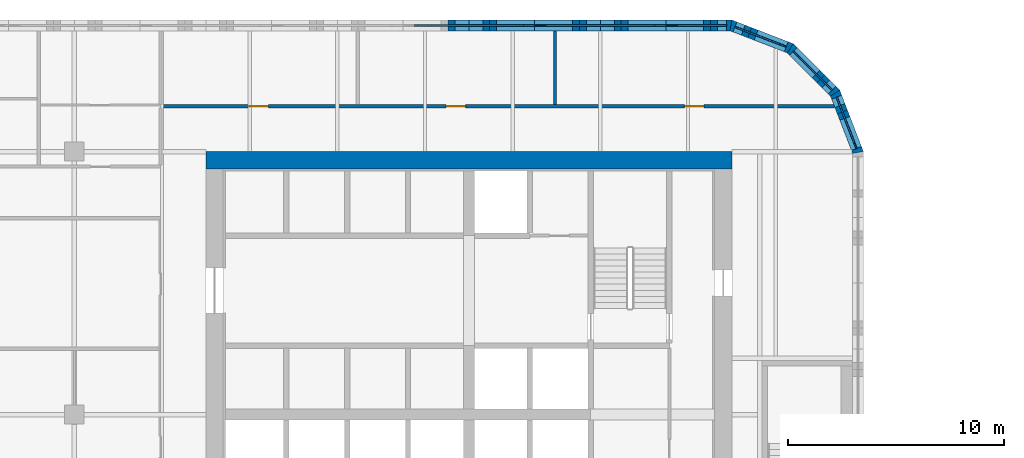
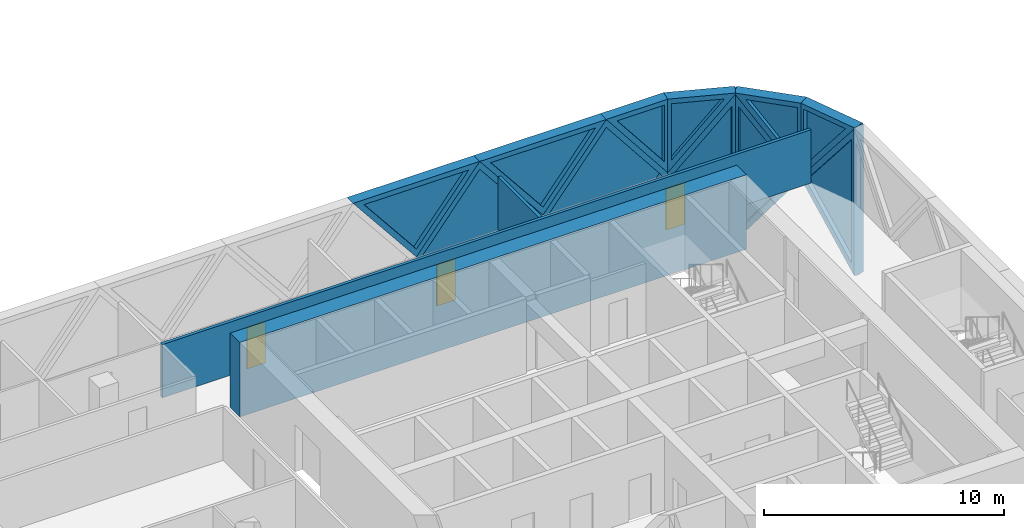
# One storey, part 14 of 24: 14 walls, 11 plates, 3 doors, 14 openings.
"""IFC4 building model written with IfcOpenShell, lengths in metres."""

from ifc_helpers import new_model, si_unit, direction, frame, frame_2d, origin, place, context, subcontext, project, spatial, polyline, rectangle, outline, extrude, faceted_brep, source, transform, mapped, material, layer, layer_set, type_object, element, fill, save


model = new_model("IFC4")

# Units and contexts
model_context = context("Model", 3, precision=1e-05, world=origin(), true_north=direction((0.0, 1.0)))
body_context = subcontext(model_context, "Body", "Model", "MODEL_VIEW")
ifc_project = project(units=[si_unit("LENGTHUNIT", "METRE"), si_unit("AREAUNIT", "SQUARE_METRE"), si_unit("VOLUMEUNIT", "CUBIC_METRE"), si_unit("PLANEANGLEUNIT", "RADIAN"), si_unit("MASSUNIT", "GRAM", prefix="KILO")], contexts=[model_context])

# Site, building, storey
site_placement = place(None, origin())
site = spatial("IfcSite", under=ifc_project, at=site_placement, CompositionType="ELEMENT")
building_placement = place(site_placement, origin())
building = spatial("IfcBuilding", under=site, at=building_placement, Name="Tessera Gate Towers", CompositionType="ELEMENT")
storey_placement = place(building_placement, frame((0.0, 0.0, 102.800048828125)))
storey = spatial("IfcBuildingStorey", under=building, at=storey_placement, Name="L25", CompositionType="ELEMENT", Elevation=102.800048828125)

# Wall
ifc_material_1 = material(Name="Concrete C60/75", Category="concrete")
ifc_layer_1 = layer(ifc_material_1, 0.800048828125)
ifc_layer_set_1 = layer_set([ifc_layer_1], Name="CORE SHEAR WALL 800 C60/75")
wall_type_1 = type_object("IfcWallType", Name="CORE SHEAR WALL 800 C60/75", PredefinedType="SHEAR", material=ifc_layer_set_1)
wall_1_placement = place(storey_placement, frame((30.5, 48.39990234375, 0.0), z_axis=(0.0, 0.0, 1.0), x_axis=(1.0, 0.0, 0.0)))
element("IfcWall", 1, at=wall_1_placement, inside=storey, type_object=wall_type_1, Name="Core wall N L25", PredefinedType="SHEAR", context=body_context, shape_type="SweptSolid", body=[
    extrude(rectangle(XDim=24.39990234375, YDim=0.800048828125, at=frame_2d((12.199951171875, 0.0))), origin(), (0.0, 0.0, 1.0), 3.800048828125),
])

# Wall, openings, doors
ifc_material_2 = material(Name="Gypsum board on steel studs, mineral wool", Category="steel")
ifc_layer_2 = layer(ifc_material_2, 0.14990234375)
ifc_layer_set_2 = layer_set([ifc_layer_2], Name="CORRIDOR WALL 150")
wall_type_2 = type_object("IfcWallType", Name="CORRIDOR WALL 150", PredefinedType="PARTITIONING", material=ifc_layer_set_2)
wall_2_placement = place(storey_placement, frame((28.39990234375, 50.89990234375, 0.0), z_axis=(0.0, 0.0, 1.0), x_axis=(1.0, 0.0, 0.0)))
wall_2 = element("IfcWall", 2, at=wall_2_placement, inside=storey, type_object=wall_type_2, Name="T1-L25-PW-048", PredefinedType="PARTITIONING", context=body_context, shape_type="SweptSolid", body=[
    extrude(rectangle(XDim=31.254150390625, YDim=0.14990234375, at=frame_2d((15.626953125, 0.0))), origin(), (0.0, 0.0, 1.0), 2.71484375),
])
shared_shape_1 = source(origin(), body_context, "Body", "SweptSolid", [
    extrude(rectangle(XDim=0.89990234375, YDim=2.10009765625, at=frame_2d((0.449951171875, 1.050048828125))), frame((0.0, 0.0849609375, 0.0), z_axis=(0.0, -1.0, 0.0), x_axis=(1.0, 0.0, 0.0)), (0.0, 0.0, 1.0), 0.169921875),
])
opening_1_placement = place(wall_2_placement, frame((4.10009765625, 0.0, 0.0)))
opening_1 = element("IfcOpeningElement", 3, at=opening_1_placement, cuts=wall_2, Name="Opening D890FD60-A09-07", PredefinedType="OPENING", context=body_context, shape_type="MappedRepresentation", body=[
    mapped(shared_shape_1, transform((0.0, 0.0, 0.0), scale=1.0)),
])
opening_2_placement = place(wall_2_placement, frame((13.25, 0.0, 0.0)))
opening_2 = element("IfcOpeningElement", 4, at=opening_2_placement, cuts=wall_2, Name="Opening D890FD60-A09-08", PredefinedType="OPENING", context=body_context, shape_type="MappedRepresentation", body=[
    mapped(shared_shape_1, transform((0.0, 0.0, 0.0), scale=1.0)),
])
opening_3_placement = place(wall_2_placement, frame((24.300048828125, 0.0, 0.0)))
opening_3 = element("IfcOpeningElement", 5, at=opening_3_placement, cuts=wall_2, Name="Opening D890FD60-A09-12", PredefinedType="OPENING", context=body_context, shape_type="MappedRepresentation", body=[
    mapped(shared_shape_1, transform((0.0, 0.0, 0.0), scale=1.0)),
])
ifc_material_3 = material(Name="Timber door leaf in steel frame", Category="steel")
door_type = type_object("IfcDoorType", Name="CORRIDOR DOOR 900 FD60", OperationType="NOTDEFINED", PredefinedType="DOOR", material=ifc_material_3)
shared_shape_2 = source(origin(), body_context, "Body", "SweptSolid", [
    extrude(rectangle(XDim=0.89990234375, YDim=2.10009765625, at=frame_2d((0.449951171875, 1.050048828125))), frame((0.0, 0.02490234375, 0.0), z_axis=(0.0, -1.0, 0.0), x_axis=(1.0, 0.0, 0.0)), (0.0, 0.0, 1.0), 0.050048828125),
])
door_1_placement = place(opening_1_placement, origin())
door_1 = element("IfcDoor", 6, at=door_1_placement, inside=storey, type_object=door_type, Name="T1-L25-PD-025", OperationType="SINGLE_SWING_LEFT", OverallHeight=2.10009765625, OverallWidth=0.89990234375, PredefinedType="DOOR", context=body_context, shape_type="MappedRepresentation", body=[
    mapped(shared_shape_2, transform((0.0, 0.0, 0.0), scale=1.0)),
])
fill(opening_1, door_1)
door_2_placement = place(opening_2_placement, origin())
door_2 = element("IfcDoor", 7, at=door_2_placement, inside=storey, type_object=door_type, Name="T1-L25-PD-026", OperationType="SINGLE_SWING_LEFT", OverallHeight=2.10009765625, OverallWidth=0.89990234375, PredefinedType="DOOR", context=body_context, shape_type="MappedRepresentation", body=[
    mapped(shared_shape_2, transform((0.0, 0.0, 0.0), scale=1.0)),
])
fill(opening_2, door_2)
door_3_placement = place(opening_3_placement, origin())
door_3 = element("IfcDoor", 8, at=door_3_placement, inside=storey, type_object=door_type, Name="T1-L25-PD-031", OperationType="SINGLE_SWING_LEFT", OverallHeight=2.10009765625, OverallWidth=0.89990234375, PredefinedType="DOOR", context=body_context, shape_type="MappedRepresentation", body=[
    mapped(shared_shape_2, transform((0.0, 0.0, 0.0), scale=1.0)),
])
fill(opening_3, door_3)

# Wall
ifc_material_4 = material(Name="Gypsum board on steel studs, mineral wool", Category="steel")
ifc_layer_3 = layer(ifc_material_4, 0.14990234375)
ifc_layer_set_3 = layer_set([ifc_layer_3], Name="TENANCY WALL 150")
wall_type_3 = type_object("IfcWallType", Name="TENANCY WALL 150", PredefinedType="PARTITIONING", material=ifc_layer_set_3)
wall_3_placement = place(storey_placement, frame((46.699951171875, 50.97607421875, 0.0), z_axis=(0.0, 0.0, 1.0), x_axis=(0.0, 1.0, 0.0)))
element("IfcWall", 9, at=wall_3_placement, inside=storey, type_object=wall_type_3, Name="T1-L25-PW-052", PredefinedType="PARTITIONING", context=body_context, shape_type="SweptSolid", body=[
    extrude(rectangle(XDim=3.423828125, YDim=0.14990234375, at=frame_2d((1.7119140625, 0.0))), origin(), (0.0, 0.0, 1.0), 2.71484375),
])

# Wall, opening, plate
ifc_material_5 = material(Name="Precast concrete C60/75 white", Category="concrete")
ifc_layer_4 = layer(ifc_material_5, 0.5)
ifc_layer_set_4 = layer_set([ifc_layer_4], Name="TS1 tessera")
wall_type_4 = type_object("IfcWallType", Name="TS1 tessera", PredefinedType="SOLIDWALL", material=ifc_layer_set_4)
shared_shape_3 = source(origin(), body_context, "Body", "Brep", [
    faceted_brep([(3.00341796875, -0.25, 0.0), (6.053466796875, -0.25, 3.800048828125), (3.00341796875, -0.25, 7.60009765625), (0.0, -0.25, 3.800048828125), (0.046630859375, 0.25, 3.85888671875), (3.00341796875, 0.25, 7.60009765625), (6.053466796875, 0.25, 3.800048828125), (3.00341796875, 0.25, 0.0), (0.046630859375, 0.25, 3.7412109375), (0.0, 0.0, 3.800048828125)], [[[0, 1, 2, 3]], [[4, 5, 6, 7, 8]], [[7, 6, 1, 0]], [[6, 5, 2, 1]], [[5, 4, 9, 3, 2]], [[8, 7, 0, 3, 9]], [[8, 9, 4]]]),
])
wall_4_placement = place(storey_placement, frame((54.853515625, 54.64990234375, -3.800048828125), z_axis=(0.0, 0.0, 1.0), x_axis=(-1.0, 0.0, 0.0)))
wall_4 = element("IfcWall", 10, at=wall_4_placement, inside=storey, type_object=wall_type_4, Name="Precast tessera T1 TS1-0424", PredefinedType="SOLIDWALL", context=body_context, shape_type="MappedRepresentation", body=[
    mapped(shared_shape_3, transform((0.0, 0.0, 0.0), scale=1.0)),
])
shared_shape_4 = source(origin(), body_context, "Body", "SweptSolid", [
    extrude(outline(polyline([(3.0048828125, 0.4013671875), (5.73291015625, 3.800048828125), (3.0048828125, 7.19873046875), (0.318603515625, 3.800048828125), (3.0048828125, 0.4013671875)])), frame((0.0, 0.260009765625, 0.0), z_axis=(0.0, -1.0, 0.0), x_axis=(1.0, 0.0, 0.0)), (0.0, 0.0, 1.0), 0.52001953125),
])
opening_4_placement = place(wall_4_placement, origin())
opening_4 = element("IfcOpeningElement", 11, at=opening_4_placement, cuts=wall_4, Name="Opening T1-PL2-0864", PredefinedType="OPENING", context=body_context, shape_type="MappedRepresentation", body=[
    mapped(shared_shape_4, transform((0.0, 0.0, 0.0), scale=1.0)),
])
ifc_material_6 = material(Name="Low-e laminated glass", Category="glass")
ifc_layer_5 = layer(ifc_material_6, 0.06005859375)
ifc_layer_set_5 = layer_set([ifc_layer_5], Name="PL2 rhombic pane")
plate_type_1 = type_object("IfcPlateType", Name="PL2 rhombic pane", PredefinedType="SHEET", material=ifc_layer_set_5)
shared_shape_5 = source(origin(), body_context, "Body", "SweptSolid", [
    extrude(outline(polyline([(3.0048828125, 0.4013671875), (5.73291015625, 3.800048828125), (3.0048828125, 7.19873046875), (0.318603515625, 3.800048828125), (3.0048828125, 0.4013671875)])), frame((0.0, 0.030029296875, 0.0), z_axis=(0.0, -1.0, 0.0), x_axis=(1.0, 0.0, 0.0)), (0.0, 0.0, 1.0), 0.06005859375),
])
plate_1_placement = place(opening_4_placement, origin())
plate_1 = element("IfcPlate", 12, at=plate_1_placement, inside=storey, type_object=plate_type_1, Name="Glass pane T1 PL2-0864", PredefinedType="SHEET", context=body_context, shape_type="MappedRepresentation", body=[
    mapped(shared_shape_5, transform((0.0, 0.0, 0.0), scale=1.0)),
])
fill(opening_4, plate_1)

shared_shape_6 = source(origin(), body_context, "Body", "SweptSolid", [
    extrude(outline(polyline([(3.050048828125, 0.0), (6.10009765625, 3.800048828125), (3.050048828125, 7.60009765625), (0.0, 3.800048828125), (3.050048828125, 0.0)])), frame((0.0, 0.25, 0.0), z_axis=(0.0, -1.0, 0.0), x_axis=(1.0, 0.0, 0.0)), (0.0, 0.0, 1.0), 0.5),
])
wall_5_placement = place(storey_placement, frame((48.800048828125, 54.64990234375, -3.800048828125), z_axis=(0.0, 0.0, 1.0), x_axis=(-1.0, 0.0, 0.0)))
wall_5 = element("IfcWall", 13, at=wall_5_placement, inside=storey, type_object=wall_type_4, Name="Precast tessera T1 TS1-0425", PredefinedType="SOLIDWALL", context=body_context, shape_type="MappedRepresentation", body=[
    mapped(shared_shape_6, transform((0.0, 0.0, 0.0), scale=1.0)),
])
shared_shape_7 = source(origin(), body_context, "Body", "SweptSolid", [
    extrude(outline(polyline([(3.050048828125, 0.3994140625), (5.779541015625, 3.800048828125), (3.050048828125, 7.20068359375), (0.320556640625, 3.800048828125), (3.050048828125, 0.3994140625)])), frame((0.0, 0.260009765625, 0.0), z_axis=(0.0, -1.0, 0.0), x_axis=(1.0, 0.0, 0.0)), (0.0, 0.0, 1.0), 0.52001953125),
])
opening_5_placement = place(wall_5_placement, origin())
opening_5 = element("IfcOpeningElement", 14, at=opening_5_placement, cuts=wall_5, Name="Opening T1-PL2-0865", PredefinedType="OPENING", context=body_context, shape_type="MappedRepresentation", body=[
    mapped(shared_shape_7, transform((0.0, 0.0, 0.0), scale=1.0)),
])
shared_shape_8 = source(origin(), body_context, "Body", "SweptSolid", [
    extrude(outline(polyline([(3.050048828125, 0.3994140625), (5.779541015625, 3.800048828125), (3.050048828125, 7.20068359375), (0.320556640625, 3.800048828125), (3.050048828125, 0.3994140625)])), frame((0.0, 0.030029296875, 0.0), z_axis=(0.0, -1.0, 0.0), x_axis=(1.0, 0.0, 0.0)), (0.0, 0.0, 1.0), 0.06005859375),
])
plate_2_placement = place(opening_5_placement, origin())
plate_2 = element("IfcPlate", 15, at=plate_2_placement, inside=storey, type_object=plate_type_1, Name="Glass pane T1 PL2-0865", PredefinedType="SHEET", context=body_context, shape_type="MappedRepresentation", body=[
    mapped(shared_shape_8, transform((0.0, 0.0, 0.0), scale=1.0)),
])
fill(opening_5, plate_2)

ifc_material_7 = material(Name="Precast concrete C60/75 white", Category="concrete")
ifc_layer_6 = layer(ifc_material_7, 0.5)
ifc_layer_set_6 = layer_set([ifc_layer_6], Name="TS3 corner tessera")
wall_type_5 = type_object("IfcWallType", Name="TS3 corner tessera", PredefinedType="SOLIDWALL", material=ifc_layer_set_6)
shared_shape_9 = source(origin(), body_context, "Body", "Brep", [
    faceted_brep([(0.046630859375, -0.25, 0.0), (2.9970703125, -0.25, 3.800048828125), (0.046630859375, -0.25, 7.60009765625), (0.0, -0.25, 7.541259765625), (0.0, -0.25, 0.058837890625), (0.09326171875, 0.25, 7.5400390625), (2.9443359375, 0.25, 3.8681640625), (2.9443359375, 0.25, 3.73193359375), (0.09326171875, 0.25, 0.06005859375), (2.9970703125, 0.00048828125, 3.800048828125), (0.046630859375, 0.0, 0.0), (0.046630859375, 0.0, 7.60009765625)], [[[0, 1, 2, 3, 4]], [[5, 6, 7, 8]], [[8, 7, 9, 1, 0, 10]], [[6, 5, 11, 2, 1, 9]], [[3, 2, 11]], [[10, 0, 4]], [[8, 10, 4, 3, 11, 5]], [[9, 7, 6]]]),
])
wall_6_placement = place(storey_placement, frame((60.766845703125, 48.7099609375, -3.800048828125), z_axis=(0.0, 0.0, 1.0), x_axis=(-0.359901446078, 0.932990326376, 0.0)))
wall_6 = element("IfcWall", 16, at=wall_6_placement, inside=storey, type_object=wall_type_5, Name="Precast corner tessera T1 TS3-0558", PredefinedType="SOLIDWALL", context=body_context, shape_type="MappedRepresentation", body=[
    mapped(shared_shape_9, transform((0.0, 0.0, 0.0), scale=1.0)),
])
shared_shape_10 = source(origin(), body_context, "Body", "SweptSolid", [
    extrude(outline(polyline([(0.24658203125, 0.665283203125), (2.6806640625, 3.800048828125), (0.24658203125, 6.934814453125), (0.24658203125, 0.665283203125)])), frame((0.0, 0.260009765625, 0.0), z_axis=(0.0, -1.0, 0.0), x_axis=(1.0, 0.0, 0.0)), (0.0, 0.0, 1.0), 0.52001953125),
])
opening_6_placement = place(wall_6_placement, origin())
opening_6 = element("IfcOpeningElement", 17, at=opening_6_placement, cuts=wall_6, Name="Opening T1-PL2-0861", PredefinedType="OPENING", context=body_context, shape_type="MappedRepresentation", body=[
    mapped(shared_shape_10, transform((0.0, 0.0, 0.0), scale=1.0)),
])
shared_shape_11 = source(origin(), body_context, "Body", "SweptSolid", [
    extrude(outline(polyline([(0.24658203125, 0.665283203125), (2.6806640625, 3.800048828125), (0.24658203125, 6.934814453125), (0.24658203125, 0.665283203125)])), frame((0.0, 0.030029296875, 0.0), z_axis=(0.0, -1.0, 0.0), x_axis=(1.0, 0.0, 0.0)), (0.0, 0.0, 1.0), 0.06005859375),
])
plate_3_placement = place(opening_6_placement, origin())
plate_3 = element("IfcPlate", 18, at=plate_3_placement, inside=storey, type_object=plate_type_1, Name="Glass pane T1 PL2-0861", PredefinedType="SHEET", context=body_context, shape_type="MappedRepresentation", body=[
    mapped(shared_shape_11, transform((0.0, 0.0, 0.0), scale=1.0)),
])
fill(opening_6, plate_3)

shared_shape_12 = source(origin(), body_context, "Body", "Brep", [
    faceted_brep([(2.944091796875, -0.25, 0.0), (2.9970703125, -0.25, 0.068115234375), (2.9970703125, -0.25, 7.531982421875), (2.944091796875, -0.25, 7.60009765625), (0.0, -0.25, 3.800048828125), (0.052978515625, 0.25, 3.868408203125), (2.89111328125, 0.25, 7.531982421875), (2.89111328125, 0.25, 0.068115234375), (0.052978515625, 0.25, 3.731689453125), (2.944091796875, 0.000244140625, 0.0), (2.944091796875, 0.000244140625, 7.60009765625), (0.0, 0.0, 3.800048828125)], [[[0, 1, 2, 3, 4]], [[5, 6, 7, 8]], [[1, 0, 9]], [[10, 3, 2]], [[6, 5, 11, 4, 3, 10]], [[8, 7, 9, 0, 4, 11]], [[8, 11, 5]], [[1, 9, 7, 6, 10, 2]]]),
])
wall_7_placement = place(storey_placement, frame((59.68798828125, 51.50634765625, -3.800048828125), z_axis=(0.0, 0.0, 1.0), x_axis=(-0.707106781187, 0.707106781187, 0.0)))
wall_7 = element("IfcWall", 19, at=wall_7_placement, inside=storey, type_object=wall_type_5, Name="Precast corner tessera T1 TS3-0559", PredefinedType="SOLIDWALL", context=body_context, shape_type="MappedRepresentation", body=[
    mapped(shared_shape_12, transform((0.0, 0.0, 0.0), scale=1.0)),
])
shared_shape_13 = source(origin(), body_context, "Body", "SweptSolid", [
    extrude(outline(polyline([(2.744140625, 6.93359375), (0.316162109375, 3.800048828125), (2.744140625, 0.666259765625), (2.744140625, 6.93359375)])), frame((0.0, 0.260009765625, 0.0), z_axis=(0.0, -1.0, 0.0), x_axis=(1.0, 0.0, 0.0)), (0.0, 0.0, 1.0), 0.52001953125),
])
opening_7_placement = place(wall_7_placement, origin())
opening_7 = element("IfcOpeningElement", 20, at=opening_7_placement, cuts=wall_7, Name="Opening T1-PL2-0862", PredefinedType="OPENING", context=body_context, shape_type="MappedRepresentation", body=[
    mapped(shared_shape_13, transform((0.0, 0.0, 0.0), scale=1.0)),
])
shared_shape_14 = source(origin(), body_context, "Body", "SweptSolid", [
    extrude(outline(polyline([(2.744140625, 6.93359375), (0.316162109375, 3.800048828125), (2.744140625, 0.666259765625), (2.744140625, 6.93359375)])), frame((0.0, 0.030029296875, 0.0), z_axis=(0.0, -1.0, 0.0), x_axis=(1.0, 0.0, 0.0)), (0.0, 0.0, 1.0), 0.06005859375),
])
plate_4_placement = place(opening_7_placement, origin())
plate_4 = element("IfcPlate", 21, at=plate_4_placement, inside=storey, type_object=plate_type_1, Name="Glass pane T1 PL2-0862", PredefinedType="SHEET", context=body_context, shape_type="MappedRepresentation", body=[
    mapped(shared_shape_14, transform((0.0, 0.0, 0.0), scale=1.0)),
])
fill(opening_7, plate_4)

shared_shape_15 = source(origin(), body_context, "Body", "Brep", [
    faceted_brep([(0.052978515625, -0.25, 0.0), (3.00341796875, -0.25, 3.800048828125), (0.052978515625, -0.25, 7.60009765625), (0.0, -0.25, 7.53173828125), (0.0, -0.25, 0.068359375), (0.10595703125, 0.25, 7.531982421875), (2.95703125, 0.25, 3.85986328125), (2.95703125, 0.25, 3.740234375), (0.10595703125, 0.25, 0.068115234375), (3.00341796875, 0.00048828125, 3.800048828125), (0.052978515625, 0.0, 0.0), (0.052978515625, 0.0, 7.60009765625)], [[[0, 1, 2, 3, 4]], [[5, 6, 7, 8]], [[8, 7, 9, 1, 0, 10]], [[6, 5, 11, 2, 1, 9]], [[3, 2, 11]], [[10, 0, 4]], [[8, 10, 4, 3, 11, 5]], [[9, 7, 6]]]),
])
wall_8_placement = place(storey_placement, frame((57.65576171875, 53.569091796875, -3.800048828125), z_axis=(0.0, 0.0, 1.0), x_axis=(-0.933007896601, 0.359855894603, 0.0)))
wall_8 = element("IfcWall", 22, at=wall_8_placement, inside=storey, type_object=wall_type_5, Name="Precast corner tessera T1 TS3-0560", PredefinedType="SOLIDWALL", context=body_context, shape_type="MappedRepresentation", body=[
    mapped(shared_shape_15, transform((0.0, 0.0, 0.0), scale=1.0)),
])
shared_shape_16 = source(origin(), body_context, "Body", "SweptSolid", [
    extrude(outline(polyline([(0.2529296875, 0.665283203125), (2.68701171875, 3.800048828125), (0.2529296875, 6.934814453125), (0.2529296875, 0.665283203125)])), frame((0.0, 0.260009765625, 0.0), z_axis=(0.0, -1.0, 0.0), x_axis=(1.0, 0.0, 0.0)), (0.0, 0.0, 1.0), 0.52001953125),
])
opening_8_placement = place(wall_8_placement, origin())
opening_8 = element("IfcOpeningElement", 23, at=opening_8_placement, cuts=wall_8, Name="Opening T1-PL2-0863", PredefinedType="OPENING", context=body_context, shape_type="MappedRepresentation", body=[
    mapped(shared_shape_16, transform((0.0, 0.0, 0.0), scale=1.0)),
])
shared_shape_17 = source(origin(), body_context, "Body", "SweptSolid", [
    extrude(outline(polyline([(0.2529296875, 0.665283203125), (2.68701171875, 3.800048828125), (0.2529296875, 6.934814453125), (0.2529296875, 0.665283203125)])), frame((0.0, 0.030029296875, 0.0), z_axis=(0.0, -1.0, 0.0), x_axis=(1.0, 0.0, 0.0)), (0.0, 0.0, 1.0), 0.06005859375),
])
plate_5_placement = place(opening_8_placement, origin())
plate_5 = element("IfcPlate", 24, at=plate_5_placement, inside=storey, type_object=plate_type_1, Name="Glass pane T1 PL2-0863", PredefinedType="SHEET", context=body_context, shape_type="MappedRepresentation", body=[
    mapped(shared_shape_17, transform((0.0, 0.0, 0.0), scale=1.0)),
])
fill(opening_8, plate_5)

shared_shape_18 = source(origin(), body_context, "Body", "Brep", [
    faceted_brep([(0.046630859375, -0.25, 0.0), (3.050048828125, -0.25, 3.800048828125), (0.0, -0.25, 3.800048828125), (0.0, -0.25, 0.06005859375), (0.09326171875, 0.25, 3.800048828125), (3.050048828125, 0.25, 3.800048828125), (0.09326171875, 0.25, 0.058837890625), (0.046630859375, 0.0, 0.0)], [[[0, 1, 2, 3]], [[4, 5, 6]], [[6, 5, 1, 0, 7]], [[5, 4, 2, 1]], [[7, 0, 3]], [[6, 7, 3, 2, 4]]]),
])
wall_9_placement = place(storey_placement, frame((54.900146484375, 54.64990234375, 0.0), z_axis=(0.0, 0.0, 1.0), x_axis=(-1.0, 0.0, 0.0)))
wall_9 = element("IfcWall", 25, at=wall_9_placement, inside=storey, type_object=wall_type_5, Name="Precast corner tessera T1 TS3-0586", PredefinedType="SOLIDWALL", context=body_context, shape_type="MappedRepresentation", body=[
    mapped(shared_shape_18, transform((0.0, 0.0, 0.0), scale=1.0)),
])
shared_shape_19 = source(origin(), body_context, "Body", "SweptSolid", [
    extrude(outline(polyline([(0.24658203125, 0.65625), (2.533935546875, 3.550048828125), (0.24658203125, 3.550048828125), (0.24658203125, 0.65625)])), frame((0.0, 0.260009765625, 0.0), z_axis=(0.0, -1.0, 0.0), x_axis=(1.0, 0.0, 0.0)), (0.0, 0.0, 1.0), 0.52001953125),
])
opening_9_placement = place(wall_9_placement, origin())
opening_9 = element("IfcOpeningElement", 26, at=opening_9_placement, cuts=wall_9, Name="Opening T1-PL1-0254", PredefinedType="OPENING", context=body_context, shape_type="MappedRepresentation", body=[
    mapped(shared_shape_19, transform((0.0, 0.0, 0.0), scale=1.0)),
])
ifc_material_8 = material(Name="Low-e laminated glass", Category="glass")
ifc_layer_7 = layer(ifc_material_8, 0.06005859375)
ifc_layer_set_7 = layer_set([ifc_layer_7], Name="PL1 triangular pane")
plate_type_2 = type_object("IfcPlateType", Name="PL1 triangular pane", PredefinedType="SHEET", material=ifc_layer_set_7)
shared_shape_20 = source(origin(), body_context, "Body", "SweptSolid", [
    extrude(outline(polyline([(0.24658203125, 0.65625), (2.533935546875, 3.550048828125), (0.24658203125, 3.550048828125), (0.24658203125, 0.65625)])), frame((0.0, 0.030029296875, 0.0), z_axis=(0.0, -1.0, 0.0), x_axis=(1.0, 0.0, 0.0)), (0.0, 0.0, 1.0), 0.06005859375),
])
plate_6_placement = place(opening_9_placement, origin())
plate_6 = element("IfcPlate", 27, at=plate_6_placement, inside=storey, type_object=plate_type_2, Name="Glass pane T1 PL1-0254", PredefinedType="SHEET", context=body_context, shape_type="MappedRepresentation", body=[
    mapped(shared_shape_20, transform((0.0, 0.0, 0.0), scale=1.0)),
])
fill(opening_9, plate_6)

ifc_material_9 = material(Name="Precast concrete C60/75 white", Category="concrete")
ifc_layer_8 = layer(ifc_material_9, 0.5)
ifc_layer_set_8 = layer_set([ifc_layer_8], Name="TS2 half tessera")
wall_type_6 = type_object("IfcWallType", Name="TS2 half tessera", PredefinedType="SOLIDWALL", material=ifc_layer_set_8)
shared_shape_21 = source(origin(), body_context, "Body", "SweptSolid", [
    extrude(outline(polyline([(3.050048828125, 0.0), (6.10009765625, 3.800048828125), (0.0, 3.800048828125), (3.050048828125, 0.0)])), frame((0.0, 0.25, 0.0), z_axis=(0.0, -1.0, 0.0), x_axis=(1.0, 0.0, 0.0)), (0.0, 0.0, 1.0), 0.5),
])
wall_10_placement = place(storey_placement, frame((51.85009765625, 54.64990234375, 0.0), z_axis=(0.0, 0.0, 1.0), x_axis=(-1.0, 0.0, 0.0)))
wall_10 = element("IfcWall", 28, at=wall_10_placement, inside=storey, type_object=wall_type_6, Name="Precast half tessera T1 TS2-0125", PredefinedType="SOLIDWALL", context=body_context, shape_type="MappedRepresentation", body=[
    mapped(shared_shape_21, transform((0.0, 0.0, 0.0), scale=1.0)),
])
shared_shape_22 = source(origin(), body_context, "Body", "SweptSolid", [
    extrude(outline(polyline([(3.050048828125, 0.3994140625), (5.578857421875, 3.550048828125), (0.521240234375, 3.550048828125), (3.050048828125, 0.3994140625)])), frame((0.0, 0.260009765625, 0.0), z_axis=(0.0, -1.0, 0.0), x_axis=(1.0, 0.0, 0.0)), (0.0, 0.0, 1.0), 0.52001953125),
])
opening_10_placement = place(wall_10_placement, origin())
opening_10 = element("IfcOpeningElement", 29, at=opening_10_placement, cuts=wall_10, Name="Opening T1-PL1-0255", PredefinedType="OPENING", context=body_context, shape_type="MappedRepresentation", body=[
    mapped(shared_shape_22, transform((0.0, 0.0, 0.0), scale=1.0)),
])
shared_shape_23 = source(origin(), body_context, "Body", "SweptSolid", [
    extrude(outline(polyline([(3.050048828125, 0.3994140625), (5.578857421875, 3.550048828125), (0.521240234375, 3.550048828125), (3.050048828125, 0.3994140625)])), frame((0.0, 0.030029296875, 0.0), z_axis=(0.0, -1.0, 0.0), x_axis=(1.0, 0.0, 0.0)), (0.0, 0.0, 1.0), 0.06005859375),
])
plate_7_placement = place(opening_10_placement, origin())
plate_7 = element("IfcPlate", 30, at=plate_7_placement, inside=storey, type_object=plate_type_2, Name="Glass pane T1 PL1-0255", PredefinedType="SHEET", context=body_context, shape_type="MappedRepresentation", body=[
    mapped(shared_shape_23, transform((0.0, 0.0, 0.0), scale=1.0)),
])
fill(opening_10, plate_7)

wall_11_placement = place(storey_placement, frame((45.75, 54.64990234375, 0.0), z_axis=(0.0, 0.0, 1.0), x_axis=(-1.0, 0.0, 0.0)))
wall_11 = element("IfcWall", 31, at=wall_11_placement, inside=storey, type_object=wall_type_6, Name="Precast half tessera T1 TS2-0126", PredefinedType="SOLIDWALL", context=body_context, shape_type="MappedRepresentation", body=[
    mapped(shared_shape_21, transform((0.0, 0.0, 0.0), scale=1.0)),
])
opening_11_placement = place(wall_11_placement, origin())
opening_11 = element("IfcOpeningElement", 32, at=opening_11_placement, cuts=wall_11, Name="Opening T1-PL1-0256", PredefinedType="OPENING", context=body_context, shape_type="MappedRepresentation", body=[
    mapped(shared_shape_22, transform((0.0, 0.0, 0.0), scale=1.0)),
])
plate_8_placement = place(opening_11_placement, origin())
plate_8 = element("IfcPlate", 33, at=plate_8_placement, inside=storey, type_object=plate_type_2, Name="Glass pane T1 PL1-0256", PredefinedType="SHEET", context=body_context, shape_type="MappedRepresentation", body=[
    mapped(shared_shape_23, transform((0.0, 0.0, 0.0), scale=1.0)),
])
fill(opening_11, plate_8)

shared_shape_24 = source(origin(), body_context, "Body", "Brep", [
    faceted_brep([(2.950439453125, -0.25, 0.0), (3.00341796875, -0.25, 0.068359375), (3.00341796875, -0.25, 3.800048828125), (0.0, -0.25, 3.800048828125), (0.046630859375, 0.25, 3.800048828125), (2.897705078125, 0.25, 3.800048828125), (2.897705078125, 0.25, 0.068115234375), (0.046630859375, 0.25, 3.739990234375), (2.950439453125, 0.00048828125, 0.0), (0.0, 0.0, 3.800048828125)], [[[0, 1, 2, 3]], [[4, 5, 6, 7]], [[1, 0, 8]], [[5, 4, 9, 3, 2]], [[7, 6, 8, 0, 3, 9]], [[7, 9, 4]], [[1, 8, 6, 5, 2]]]),
])
wall_12_placement = place(storey_placement, frame((60.75, 48.75341796875, 0.0), z_axis=(0.0, 0.0, 1.0), x_axis=(-0.35992665181, 0.932980602862, 0.0)))
wall_12 = element("IfcWall", 34, at=wall_12_placement, inside=storey, type_object=wall_type_5, Name="Precast corner tessera T1 TS3-0583", PredefinedType="SOLIDWALL", context=body_context, shape_type="MappedRepresentation", body=[
    mapped(shared_shape_24, transform((0.0, 0.0, 0.0), scale=1.0)),
])
shared_shape_25 = source(origin(), body_context, "Body", "SweptSolid", [
    extrude(outline(polyline([(2.75048828125, 3.550048828125), (0.5107421875, 3.550048828125), (2.75048828125, 0.665283203125), (2.75048828125, 3.550048828125)])), frame((0.0, 0.260009765625, 0.0), z_axis=(0.0, -1.0, 0.0), x_axis=(1.0, 0.0, 0.0)), (0.0, 0.0, 1.0), 0.52001953125),
])
opening_12_placement = place(wall_12_placement, origin())
opening_12 = element("IfcOpeningElement", 35, at=opening_12_placement, cuts=wall_12, Name="Opening T1-PL1-0251", PredefinedType="OPENING", context=body_context, shape_type="MappedRepresentation", body=[
    mapped(shared_shape_25, transform((0.0, 0.0, 0.0), scale=1.0)),
])
shared_shape_26 = source(origin(), body_context, "Body", "SweptSolid", [
    extrude(outline(polyline([(2.75048828125, 3.550048828125), (0.5107421875, 3.550048828125), (2.75048828125, 0.665283203125), (2.75048828125, 3.550048828125)])), frame((0.0, 0.030029296875, 0.0), z_axis=(0.0, -1.0, 0.0), x_axis=(1.0, 0.0, 0.0)), (0.0, 0.0, 1.0), 0.06005859375),
])
plate_9_placement = place(opening_12_placement, origin())
plate_9 = element("IfcPlate", 36, at=plate_9_placement, inside=storey, type_object=plate_type_2, Name="Glass pane T1 PL1-0251", PredefinedType="SHEET", context=body_context, shape_type="MappedRepresentation", body=[
    mapped(shared_shape_26, transform((0.0, 0.0, 0.0), scale=1.0)),
])
fill(opening_12, plate_9)

shared_shape_27 = source(origin(), body_context, "Body", "Brep", [
    faceted_brep([(0.052978515625, -0.25, 0.0), (2.9970703125, -0.25, 3.800048828125), (0.0, -0.25, 3.800048828125), (0.0, -0.25, 0.068115234375), (0.10595703125, 0.25, 3.800048828125), (2.944091796875, 0.25, 3.800048828125), (2.944091796875, 0.25, 3.73193359375), (0.10595703125, 0.25, 0.068359375), (2.9970703125, 0.000244140625, 3.800048828125), (0.052978515625, 0.0, 0.0)], [[[0, 1, 2, 3]], [[4, 5, 6, 7]], [[7, 6, 8, 1, 0, 9]], [[5, 4, 2, 1, 8]], [[9, 0, 3]], [[7, 9, 3, 2, 4]], [[6, 5, 8]]]),
])
wall_13_placement = place(storey_placement, frame((59.7255859375, 51.46875, 0.0), z_axis=(0.0, 0.0, 1.0), x_axis=(-0.707106781187, 0.707106781187, 0.0)))
wall_13 = element("IfcWall", 37, at=wall_13_placement, inside=storey, type_object=wall_type_5, Name="Precast corner tessera T1 TS3-0584", PredefinedType="SOLIDWALL", context=body_context, shape_type="MappedRepresentation", body=[
    mapped(shared_shape_27, transform((0.0, 0.0, 0.0), scale=1.0)),
])
shared_shape_28 = source(origin(), body_context, "Body", "SweptSolid", [
    extrude(outline(polyline([(0.2529296875, 0.666259765625), (2.487060546875, 3.550048828125), (0.2529296875, 3.550048828125), (0.2529296875, 0.666259765625)])), frame((0.0, 0.260009765625, 0.0), z_axis=(0.0, -1.0, 0.0), x_axis=(1.0, 0.0, 0.0)), (0.0, 0.0, 1.0), 0.52001953125),
])
opening_13_placement = place(wall_13_placement, origin())
opening_13 = element("IfcOpeningElement", 38, at=opening_13_placement, cuts=wall_13, Name="Opening T1-PL1-0252", PredefinedType="OPENING", context=body_context, shape_type="MappedRepresentation", body=[
    mapped(shared_shape_28, transform((0.0, 0.0, 0.0), scale=1.0)),
])
shared_shape_29 = source(origin(), body_context, "Body", "SweptSolid", [
    extrude(outline(polyline([(0.2529296875, 0.666259765625), (2.487060546875, 3.550048828125), (0.2529296875, 3.550048828125), (0.2529296875, 0.666259765625)])), frame((0.0, 0.030029296875, 0.0), z_axis=(0.0, -1.0, 0.0), x_axis=(1.0, 0.0, 0.0)), (0.0, 0.0, 1.0), 0.06005859375),
])
plate_10_placement = place(opening_13_placement, origin())
plate_10 = element("IfcPlate", 39, at=plate_10_placement, inside=storey, type_object=plate_type_2, Name="Glass pane T1 PL1-0252", PredefinedType="SHEET", context=body_context, shape_type="MappedRepresentation", body=[
    mapped(shared_shape_29, transform((0.0, 0.0, 0.0), scale=1.0)),
])
fill(opening_13, plate_10)

shared_shape_30 = source(origin(), body_context, "Body", "Brep", [
    faceted_brep([(2.950439453125, -0.25, 0.0), (2.9970703125, -0.25, 0.05908203125), (2.9970703125, -0.25, 3.800048828125), (0.0, -0.25, 3.800048828125), (0.052978515625, 0.25, 3.800048828125), (2.904052734375, 0.25, 3.800048828125), (2.904052734375, 0.25, 0.059814453125), (0.052978515625, 0.25, 3.73193359375), (2.950439453125, 0.00048828125, 0.0), (0.0, 0.0, 3.800048828125)], [[[0, 1, 2, 3]], [[4, 5, 6, 7]], [[1, 0, 8]], [[5, 4, 9, 3, 2]], [[7, 6, 8, 0, 3, 9]], [[7, 9, 4]], [[1, 8, 6, 5, 2]]]),
])
wall_14_placement = place(storey_placement, frame((57.606201171875, 53.588134765625, 0.0), z_axis=(0.0, 0.0, 1.0), x_axis=(-0.932990326376, 0.359901446078, 0.0)))
wall_14 = element("IfcWall", 40, at=wall_14_placement, inside=storey, type_object=wall_type_5, Name="Precast corner tessera T1 TS3-0585", PredefinedType="SOLIDWALL", context=body_context, shape_type="MappedRepresentation", body=[
    mapped(shared_shape_30, transform((0.0, 0.0, 0.0), scale=1.0)),
])
opening_14_placement = place(wall_14_placement, origin())
opening_14 = element("IfcOpeningElement", 41, at=opening_14_placement, cuts=wall_14, Name="Opening T1-PL1-0253", PredefinedType="OPENING", context=body_context, shape_type="MappedRepresentation", body=[
    mapped(shared_shape_25, transform((0.0, 0.0, 0.0), scale=1.0)),
])
plate_11_placement = place(opening_14_placement, origin())
plate_11 = element("IfcPlate", 42, at=plate_11_placement, inside=storey, type_object=plate_type_2, Name="Glass pane T1 PL1-0253", PredefinedType="SHEET", context=body_context, shape_type="MappedRepresentation", body=[
    mapped(shared_shape_26, transform((0.0, 0.0, 0.0), scale=1.0)),
])
fill(opening_14, plate_11)

save(model, "model.ifc")
